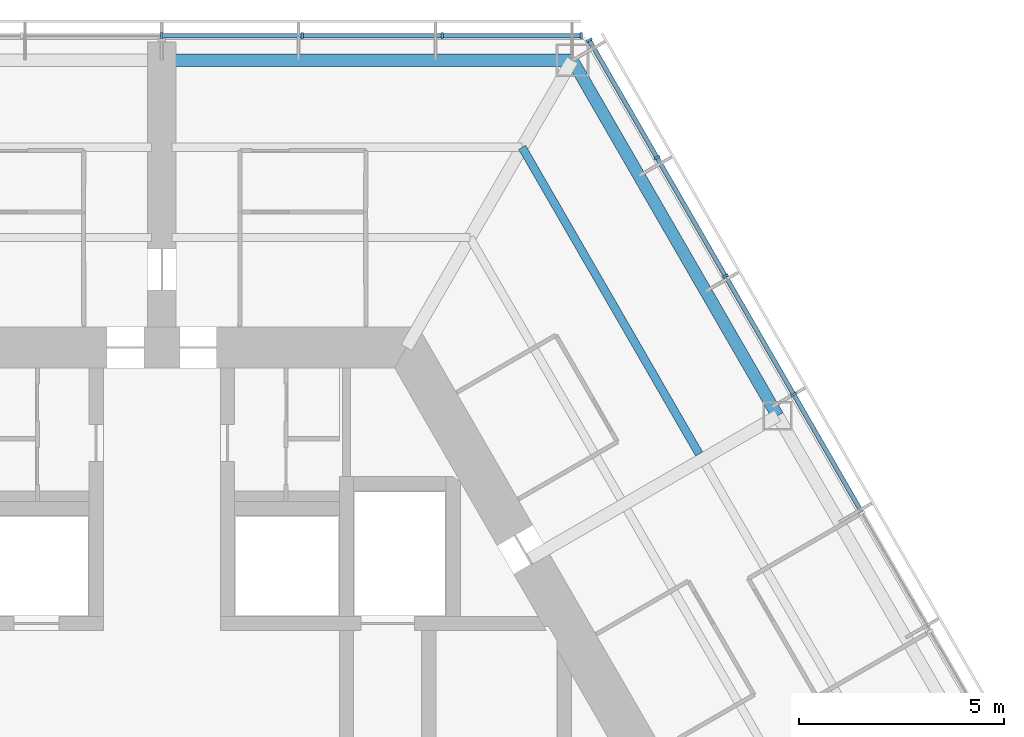
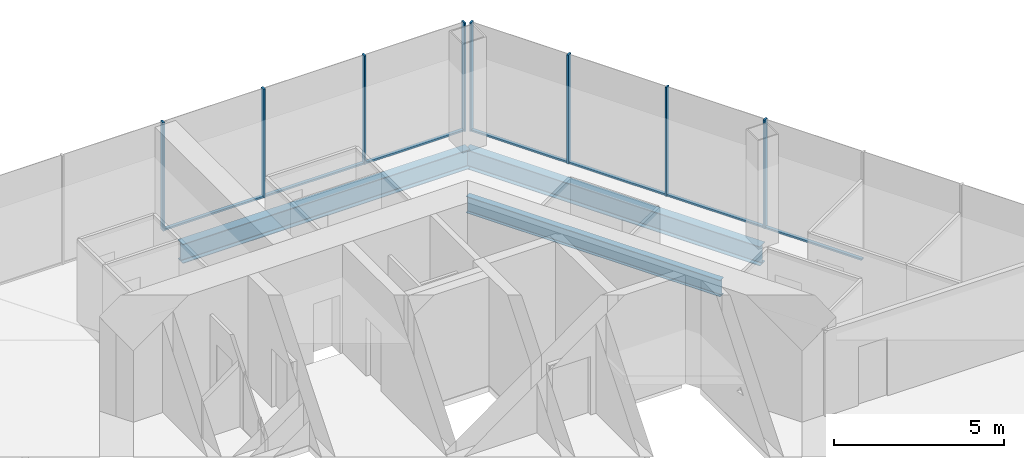
# One storey, part 8 of 18: 15 members, 3 beams, 2 elements without a shape of their own.
"""IFC4 building model written with IfcOpenShell, lengths in metres."""

from ifc_helpers import new_model, si_unit, direction, frame, origin, origin_2d, place, context, subcontext, project, spatial, rectangle, i_section, extrude, material, material_profile, profile_set, type_object, element, aggregate, save


model = new_model("IFC4")

# Units and contexts
model_context = context("Model", 3, precision=1e-05, world=origin(), true_north=direction((0.0, 1.0)))
body_context = subcontext(model_context, "Body", "Model", "MODEL_VIEW")
ifc_project = project(units=[si_unit("LENGTHUNIT", "METRE"), si_unit("AREAUNIT", "SQUARE_METRE"), si_unit("VOLUMEUNIT", "CUBIC_METRE"), si_unit("PLANEANGLEUNIT", "RADIAN"), si_unit("MASSUNIT", "GRAM", prefix="KILO")], contexts=[model_context])

# Site, building, storey
site_placement = place(None, origin())
site = spatial("IfcSite", under=ifc_project, at=site_placement, CompositionType="ELEMENT")
building_placement = place(site_placement, origin())
building = spatial("IfcBuilding", under=site, at=building_placement, Name="Kasaneha Research Tower", CompositionType="ELEMENT")
storey_placement = place(building_placement, frame((0.0, 0.0, 172.10009765625)))
storey = spatial("IfcBuildingStorey", under=building, at=storey_placement, Name="L43", CompositionType="ELEMENT", Elevation=172.10009765625)

# Beam
ifc_material_1 = material(Name="Steel SN490B", Category="steel")
ifc_material_profile_1 = material_profile(ifc_material_1, i_section(OverallWidth=0.199951171875, OverallDepth=0.60009765625, WebThickness=0.010986328125, FlangeThickness=0.01708984375, FilletRadius=0.012939453125, at=origin_2d()), Name="H-600x200x11x17")
ifc_profile_set_1 = profile_set([ifc_material_profile_1], Name="Steel SN490B")
beam_type_1 = type_object("IfcBeamType", Name="B1-3 secondary beam H-600x200x11x17", PredefinedType="JOIST", material=ifc_profile_set_1)
beam_1_placement = place(storey_placement, frame((8.775634765625, 15.199951171875, -0.4501953125), z_axis=(0.500017275495, -0.866015429543, 0.0), x_axis=(0.866015429543, 0.500017275495, 0.0)))
element("IfcBeam", 1, at=beam_1_placement, inside=storey, type_object=beam_type_1, Name="Secondary beam RS030R2 L43", PredefinedType="JOIST", context=body_context, shape_type="SweptSolid", body=[
    extrude(i_section(OverallWidth=0.199951171875, OverallDepth=0.60009765625, WebThickness=0.010986328125, FlangeThickness=0.01708984375, FilletRadius=0.012939453125, at=origin_2d()), origin(), (0.0, 0.0, 1.0), 8.625732421875),
])

# Curtain wall, members
ifc_material_2 = material(Name="Glass and aluminium", Category="aluminium")
curtain_wall_type = type_object("IfcCurtainWallType", Name="Mid-rise office curtain wall", PredefinedType="USERDEFINED", material=ifc_material_2)
curtain_wall_1_placement = place(storey_placement, origin())
curtain_wall_1 = element("IfcCurtainWall", 2, at=curtain_wall_1_placement, inside=storey, type_object=curtain_wall_type, Name="CW-O2 L43 run 06a", ObjectType="UNITISED CURTAIN WALL", PredefinedType="USERDEFINED")
ifc_material_3 = material(Name="Aluminium 6063-T6", Category="aluminium")
ifc_material_profile_2 = material_profile(ifc_material_3, rectangle(XDim=0.06005859375, YDim=0.14990234375, at=origin_2d()), Name="CW-O2 mullion 60x150")
ifc_profile_set_2 = profile_set([ifc_material_profile_2], Name="Aluminium 6063-T6")
member_type_1 = type_object("IfcMemberType", Name="CW-O2 mullion", PredefinedType="MULLION", material=ifc_profile_set_2)
member_1_placement = place(storey_placement, frame((15.392822265625, 9.179931640625, 0.0), z_axis=(0.0, 0.0, 1.0), x_axis=(-0.499999979232, 0.866025415775, 0.0)))
member_1 = element("IfcMember", 3, at=member_1_placement, type_object=member_type_1, Name="CW-O2 mullion 4", PredefinedType="MULLION", context=body_context, shape_type="SweptSolid", body=[
    extrude(rectangle(XDim=0.06005859375, YDim=0.14990234375, at=origin_2d()), origin(), (0.0, 0.0, 1.0), 3.89990234375),
])
member_2_placement = place(storey_placement, frame((13.727294921875, 12.064453125, 0.0), z_axis=(0.0, 0.0, 1.0), x_axis=(-0.499999979232, 0.866025415775, 0.0)))
member_2 = element("IfcMember", 4, at=member_2_placement, type_object=member_type_1, Name="CW-O2 mullion 5", PredefinedType="MULLION", context=body_context, shape_type="SweptSolid", body=[
    extrude(rectangle(XDim=0.06005859375, YDim=0.14990234375, at=origin_2d()), origin(), (0.0, 0.0, 1.0), 3.89990234375),
])
member_3_placement = place(storey_placement, frame((12.061767578125, 14.94921875, 0.0), z_axis=(0.0, 0.0, 1.0), x_axis=(-0.499999979232, 0.866025415775, 0.0)))
member_3 = element("IfcMember", 5, at=member_3_placement, type_object=member_type_1, Name="CW-O2 mullion 6", PredefinedType="MULLION", context=body_context, shape_type="SweptSolid", body=[
    extrude(rectangle(XDim=0.06005859375, YDim=0.14990234375, at=origin_2d()), origin(), (0.0, 0.0, 1.0), 3.89990234375),
])
member_4_placement = place(storey_placement, frame((10.411376953125, 17.807861328125, 0.0), z_axis=(0.0, 0.0, 1.0), x_axis=(-0.499999979232, 0.866025415775, 0.0)))
member_4 = element("IfcMember", 6, at=member_4_placement, type_object=member_type_1, Name="CW-O2 mullion 7", PredefinedType="MULLION", context=body_context, shape_type="SweptSolid", body=[
    extrude(rectangle(XDim=0.06005859375, YDim=0.14990234375, at=origin_2d()), origin(), (0.0, 0.0, 1.0), 3.89990234375),
])

curtain_wall_2_placement = place(storey_placement, origin())
curtain_wall_2 = element("IfcCurtainWall", 7, at=curtain_wall_2_placement, inside=storey, type_object=curtain_wall_type, Name="CW-O2 L43 run 07a", ObjectType="UNITISED CURTAIN WALL", PredefinedType="USERDEFINED")
member_5_placement = place(storey_placement, frame((10.21630859375, 17.92041015625, 0.0), z_axis=(0.0, 0.0, 1.0), x_axis=(-1.0, 0.0, 0.0)))
member_5 = element("IfcMember", 8, at=member_5_placement, type_object=member_type_1, Name="CW-O2 mullion 1", PredefinedType="MULLION", context=body_context, shape_type="SweptSolid", body=[
    extrude(rectangle(XDim=0.06005859375, YDim=0.14990234375, at=origin_2d()), origin(), (0.0, 0.0, 1.0), 3.89990234375),
])
member_6_placement = place(storey_placement, frame((6.8310546875, 17.92041015625, 0.0), z_axis=(0.0, 0.0, 1.0), x_axis=(-1.0, 0.0, 0.0)))
member_6 = element("IfcMember", 9, at=member_6_placement, type_object=member_type_1, Name="CW-O2 mullion 2", PredefinedType="MULLION", context=body_context, shape_type="SweptSolid", body=[
    extrude(rectangle(XDim=0.06005859375, YDim=0.14990234375, at=origin_2d()), origin(), (0.0, 0.0, 1.0), 3.89990234375),
])
member_7_placement = place(storey_placement, frame((3.41552734375, 17.92041015625, 0.0), z_axis=(0.0, 0.0, 1.0), x_axis=(-1.0, 0.0, 0.0)))
member_7 = element("IfcMember", 10, at=member_7_placement, type_object=member_type_1, Name="CW-O2 mullion 3", PredefinedType="MULLION", context=body_context, shape_type="SweptSolid", body=[
    extrude(rectangle(XDim=0.06005859375, YDim=0.14990234375, at=origin_2d()), origin(), (0.0, 0.0, 1.0), 3.89990234375),
])
member_8_placement = place(storey_placement, frame((0.0, 17.92041015625, 0.0), z_axis=(0.0, 0.0, 1.0), x_axis=(-1.0, 0.0, 0.0)))
member_8 = element("IfcMember", 11, at=member_8_placement, type_object=member_type_1, Name="CW-O2 mullion 4", PredefinedType="MULLION", context=body_context, shape_type="SweptSolid", body=[
    extrude(rectangle(XDim=0.06005859375, YDim=0.14990234375, at=origin_2d()), origin(), (0.0, 0.0, 1.0), 3.89990234375),
])

# Member
ifc_material_4 = material(Name="Aluminium 6063-T6", Category="aluminium")
ifc_material_profile_3 = material_profile(ifc_material_4, rectangle(XDim=0.110107421875, YDim=0.06005859375, at=origin_2d()), Name="CW-O2 transom 110x60")
ifc_profile_set_3 = profile_set([ifc_material_profile_3], Name="Aluminium 6063-T6")
member_type_2 = type_object("IfcMemberType", Name="CW-O2 transom", PredefinedType="USERDEFINED", material=ifc_profile_set_3)
member_9_placement = place(storey_placement, frame((17.043212890625, 6.3212890625, 0.02978515625), z_axis=(-0.50003259116, 0.866006586452, 0.0), x_axis=(-0.866006586452, -0.50003259116, 0.0)))
member_9 = element("IfcMember", 12, at=member_9_placement, type_object=member_type_2, Name="CW-O2 transom 3", ObjectType="TRANSOM", PredefinedType="USERDEFINED", context=body_context, shape_type="SweptSolid", body=[
    extrude(rectangle(XDim=0.110107421875, YDim=0.06005859375, at=origin_2d()), origin(), (0.0, 0.0, 1.0), 3.270751953125),
])

member_10_placement = place(storey_placement, frame((15.3779296875, 9.205810546875, 0.02978515625), z_axis=(-0.500000270186, 0.866025247793, 0.0), x_axis=(-0.866025247793, -0.500000270186, 0.0)))
member_10 = element("IfcMember", 13, at=member_10_placement, type_object=member_type_2, Name="CW-O2 transom 4", ObjectType="TRANSOM", PredefinedType="USERDEFINED", context=body_context, shape_type="SweptSolid", body=[
    extrude(rectangle(XDim=0.110107421875, YDim=0.06005859375, at=origin_2d()), origin(), (0.0, 0.0, 1.0), 3.27099609375),
])

member_11_placement = place(storey_placement, frame((13.71240234375, 12.090576171875, 0.02978515625), z_axis=(-0.500000270186, 0.866025247793, 0.0), x_axis=(-0.866025247793, -0.500000270186, 0.0)))
member_11 = element("IfcMember", 14, at=member_11_placement, type_object=member_type_2, Name="CW-O2 transom 5", ObjectType="TRANSOM", PredefinedType="USERDEFINED", context=body_context, shape_type="SweptSolid", body=[
    extrude(rectangle(XDim=0.110107421875, YDim=0.06005859375, at=origin_2d()), origin(), (0.0, 0.0, 1.0), 3.27099609375),
])

member_12_placement = place(storey_placement, frame((12.046875, 14.97509765625, 0.02978515625), z_axis=(-0.499955025697, 0.866051368154, 0.0), x_axis=(-0.866051368154, -0.499955025697, 0.0)))
member_12 = element("IfcMember", 15, at=member_12_placement, type_object=member_type_2, Name="CW-O2 transom 6", ObjectType="TRANSOM", PredefinedType="USERDEFINED", context=body_context, shape_type="SweptSolid", body=[
    extrude(rectangle(XDim=0.110107421875, YDim=0.06005859375, at=origin_2d()), origin(), (0.0, 0.0, 1.0), 3.240966796875),
])

aggregate(curtain_wall_1, [member_1, member_2, member_3, member_4, member_9, member_10, member_11, member_12])

member_13_placement = place(storey_placement, frame((10.1865234375, 17.92041015625, 0.02978515625), z_axis=(-1.0, 0.0, 0.0), x_axis=(0.0, -1.0, 0.0)))
member_13 = element("IfcMember", 16, at=member_13_placement, type_object=member_type_2, Name="CW-O2 transom 1", ObjectType="TRANSOM", PredefinedType="USERDEFINED", context=body_context, shape_type="SweptSolid", body=[
    extrude(rectangle(XDim=0.110107421875, YDim=0.06005859375, at=origin_2d()), origin(), (0.0, 0.0, 1.0), 3.32568359375),
])

member_14_placement = place(storey_placement, frame((6.801025390625, 17.92041015625, 0.02978515625), z_axis=(-1.0, 0.0, 0.0), x_axis=(0.0, -1.0, 0.0)))
member_14 = element("IfcMember", 17, at=member_14_placement, type_object=member_type_2, Name="CW-O2 transom 2", ObjectType="TRANSOM", PredefinedType="USERDEFINED", context=body_context, shape_type="SweptSolid", body=[
    extrude(rectangle(XDim=0.110107421875, YDim=0.06005859375, at=origin_2d()), origin(), (0.0, 0.0, 1.0), 3.35546875),
])

member_15_placement = place(storey_placement, frame((3.385498046875, 17.92041015625, 0.02978515625), z_axis=(-1.0, 0.0, 0.0), x_axis=(0.0, -1.0, 0.0)))
member_15 = element("IfcMember", 18, at=member_15_placement, type_object=member_type_2, Name="CW-O2 transom 3", ObjectType="TRANSOM", PredefinedType="USERDEFINED", context=body_context, shape_type="SweptSolid", body=[
    extrude(rectangle(XDim=0.110107421875, YDim=0.06005859375, at=origin_2d()), origin(), (0.0, 0.0, 1.0), 3.35546875),
])

aggregate(curtain_wall_2, [member_5, member_6, member_7, member_8, member_13, member_14, member_15])

# Beams
ifc_material_5 = material(Name="Steel SN490B", Category="steel")
ifc_material_profile_4 = material_profile(ifc_material_5, i_section(OverallWidth=0.300048828125, OverallDepth=0.69189453125, WebThickness=0.012939453125, FlangeThickness=0.02001953125, FilletRadius=0.01806640625, at=origin_2d()), Name="H-692x300x13x20")
ifc_profile_set_4 = profile_set([ifc_material_profile_4], Name="Steel SN490B")
beam_type_2 = type_object("IfcBeamType", Name="G3-3 plate edge girder H-692x300x13x20", PredefinedType="BEAM", material=ifc_profile_set_4)
beam_2_placement = place(storey_placement, frame((10.0, 17.320556640625, -0.49609375), z_axis=(-1.0, 0.0, 0.0), x_axis=(0.0, -1.0, 0.0)))
element("IfcBeam", 19, at=beam_2_placement, inside=storey, type_object=beam_type_2, Name="Plate edge girder PEAP L43", PredefinedType="BEAM", context=body_context, shape_type="SweptSolid", body=[
    extrude(i_section(OverallWidth=0.300048828125, OverallDepth=0.69189453125, WebThickness=0.012939453125, FlangeThickness=0.02001953125, FilletRadius=0.01806640625, at=origin_2d()), origin(), (0.0, 0.0, 1.0), 9.75),
])
ifc_material_6 = material(Name="Steel SN490B", Category="steel")
ifc_material_profile_5 = material_profile(ifc_material_6, i_section(OverallWidth=0.300048828125, OverallDepth=0.69189453125, WebThickness=0.012939453125, FlangeThickness=0.02001953125, FilletRadius=0.01806640625, at=origin_2d()), Name="H-692x300x13x20")
ifc_profile_set_5 = profile_set([ifc_material_profile_5], Name="Steel SN490B")
beam_type_3 = type_object("IfcBeamType", Name="SB1-3 spandrel beam H-692x300x13x20", PredefinedType="SPANDREL", material=ifc_profile_set_5)
beam_3_placement = place(storey_placement, frame((10.0, 17.320556640625, -0.49609375), z_axis=(0.499993662806, -0.866029062534, 0.0), x_axis=(0.866029062534, 0.499993662806, 0.0)))
element("IfcBeam", 20, at=beam_3_placement, inside=storey, type_object=beam_type_3, Name="Spandrel beam SR030R L43", PredefinedType="SPANDREL", context=body_context, shape_type="SweptSolid", body=[
    extrude(i_section(OverallWidth=0.300048828125, OverallDepth=0.69189453125, WebThickness=0.012939453125, FlangeThickness=0.02001953125, FilletRadius=0.01806640625, at=origin_2d()), origin(), (0.0, 0.0, 1.0), 10.000244140625),
])

save(model, "model.ifc")
